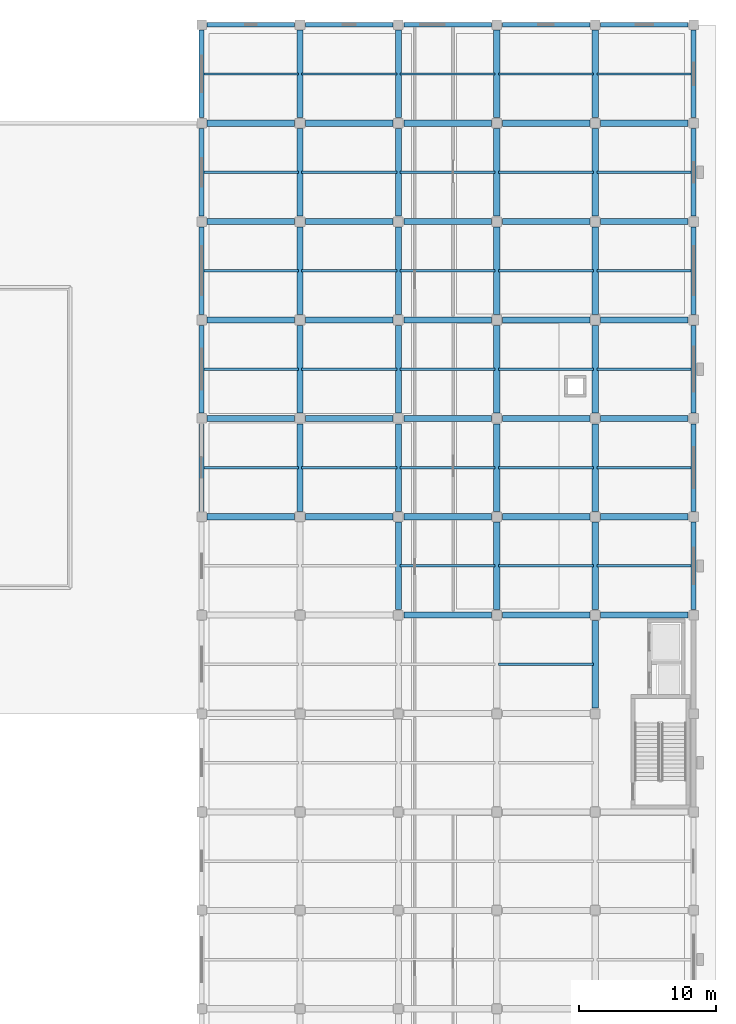
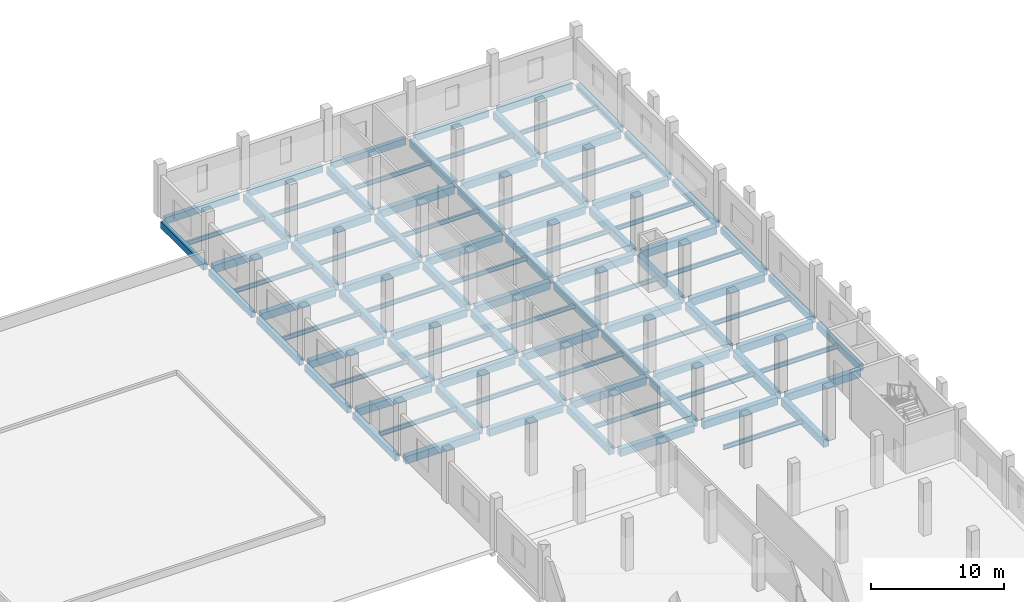
# One storey, part 26 of 59: 97 beams.
"""IFC4 building model written with IfcOpenShell, lengths in metres."""

from ifc_helpers import new_model, si_unit, direction, frame, origin, origin_2d, place, context, subcontext, project, spatial, rectangle, i_section, extrude, material, material_profile, profile_set, type_object, element, save


model = new_model("IFC4")

# Units and contexts
model_context = context("Model", 3, precision=1e-05, world=origin(), true_north=direction((0.0, 1.0)))
body_context = subcontext(model_context, "Body", "Model", "MODEL_VIEW")
ifc_project = project(units=[si_unit("LENGTHUNIT", "METRE"), si_unit("AREAUNIT", "SQUARE_METRE"), si_unit("VOLUMEUNIT", "CUBIC_METRE"), si_unit("PLANEANGLEUNIT", "RADIAN"), si_unit("MASSUNIT", "GRAM", prefix="KILO")], contexts=[model_context])

# Site, building, storey
site_placement = place(None, origin())
site = spatial("IfcSite", under=ifc_project, at=site_placement, CompositionType="ELEMENT")
building_placement = place(site_placement, origin())
building = spatial("IfcBuilding", under=site, at=building_placement, Name="Valkovuoma Quantum and Materials Research Institute", CompositionType="ELEMENT")
storey_placement = place(building_placement, origin())
storey = spatial("IfcBuildingStorey", under=building, at=storey_placement, Name="L00", CompositionType="ELEMENT", Elevation=0.0)

# Beams
ifc_material_1 = material(Name="Steel S355J2", Category="steel")
ifc_material_profile_1 = material_profile(ifc_material_1, i_section(OverallWidth=0.179931640625, OverallDepth=0.39990234375, WebThickness=0.008544921875, FlangeThickness=0.013427734375, FilletRadius=0.02099609375, at=origin_2d()), Name="Steel S355J2")
ifc_profile_set_1 = profile_set([ifc_material_profile_1], Name="Steel S355J2")
beam_type_1 = type_object("IfcBeamType", Name="Beam-B-JST400", PredefinedType="JOIST", material=ifc_profile_set_1)
for number, where, z_axis, x_axis, name in (
    (1, (151.320068359375, 68.39990234375, -0.60009765625), (1.0, 0.0, 0.0), (0.0, 1.0, 0.0), "L00 floor joist 0495"),
    (2, (144.1201171875, 75.60009765625, -0.60009765625), (1.0, 0.0, 0.0), (0.0, 1.0, 0.0), "L00 floor joist 0501"),
    (3, (151.320068359375, 75.60009765625, -0.60009765625), (1.0, 0.0, 0.0), (0.0, 1.0, 0.0), "L00 floor joist 0502"),
    (4, (158.52001953125, 75.60009765625, -0.60009765625), (1.0, 0.0, 0.0), (0.0, 1.0, 0.0), "L00 floor joist 0503"),
    (5, (129.719970703125, 82.800048828125, -0.60009765625), (1.0, 0.0, 0.0), (0.0, 1.0, 0.0), "L00 floor joist 0509"),
    (6, (136.919921875, 82.800048828125, -0.60009765625), (1.0, 0.0, 0.0), (0.0, 1.0, 0.0), "L00 floor joist 0510"),
    (7, (144.1201171875, 82.800048828125, -0.60009765625), (1.0, 0.0, 0.0), (0.0, 1.0, 0.0), "L00 floor joist 0511"),
    (8, (151.320068359375, 82.800048828125, -0.60009765625), (1.0, 0.0, 0.0), (0.0, 1.0, 0.0), "L00 floor joist 0512"),
    (9, (158.52001953125, 82.800048828125, -0.60009765625), (1.0, 0.0, 0.0), (0.0, 1.0, 0.0), "L00 floor joist 0513"),
    (10, (129.719970703125, 90.0, -0.60009765625), (1.0, 0.0, 0.0), (0.0, 1.0, 0.0), "L00 floor joist 0520"),
    (11, (136.919921875, 90.0, -0.60009765625), (1.0, 0.0, 0.0), (0.0, 1.0, 0.0), "L00 floor joist 0521"),
    (12, (144.1201171875, 90.0, -0.60009765625), (1.0, 0.0, 0.0), (0.0, 1.0, 0.0), "L00 floor joist 0522"),
    (13, (151.320068359375, 90.0, -0.60009765625), (1.0, 0.0, 0.0), (0.0, 1.0, 0.0), "L00 floor joist 0523"),
    (14, (158.52001953125, 90.0, -0.60009765625), (1.0, 0.0, 0.0), (0.0, 1.0, 0.0), "L00 floor joist 0524"),
    (15, (129.719970703125, 97.199951171875, -0.60009765625), (1.0, 0.0, 0.0), (0.0, 1.0, 0.0), "L00 floor joist 0530"),
    (16, (136.919921875, 97.199951171875, -0.60009765625), (1.0, 0.0, 0.0), (0.0, 1.0, 0.0), "L00 floor joist 0531"),
    (17, (144.1201171875, 97.199951171875, -0.60009765625), (1.0, 0.0, 0.0), (0.0, 1.0, 0.0), "L00 floor joist 0532"),
    (18, (151.320068359375, 97.199951171875, -0.60009765625), (1.0, 0.0, 0.0), (0.0, 1.0, 0.0), "L00 floor joist 0533"),
    (19, (158.52001953125, 97.199951171875, -0.60009765625), (1.0, 0.0, 0.0), (0.0, 1.0, 0.0), "L00 floor joist 0534"),
    (20, (129.719970703125, 104.39990234375, -0.60009765625), (1.0, 0.0, 0.0), (0.0, 1.0, 0.0), "L00 floor joist 0540"),
    (21, (136.919921875, 104.39990234375, -0.60009765625), (1.0, 0.0, 0.0), (0.0, 1.0, 0.0), "L00 floor joist 0541"),
    (22, (144.1201171875, 104.39990234375, -0.60009765625), (1.0, 0.0, 0.0), (0.0, 1.0, 0.0), "L00 floor joist 0542"),
    (23, (151.320068359375, 104.39990234375, -0.60009765625), (1.0, 0.0, 0.0), (0.0, 1.0, 0.0), "L00 floor joist 0543"),
    (24, (158.52001953125, 104.39990234375, -0.60009765625), (1.0, 0.0, 0.0), (0.0, 1.0, 0.0), "L00 floor joist 0544"),
    (25, (129.719970703125, 111.60009765625, -0.60009765625), (1.0, 0.0, 0.0), (0.0, 1.0, 0.0), "L00 floor joist 0545"),
    (26, (136.919921875, 111.60009765625, -0.60009765625), (1.0, 0.0, 0.0), (0.0, 1.0, 0.0), "L00 floor joist 0546"),
    (27, (144.1201171875, 111.60009765625, -0.60009765625), (1.0, 0.0, 0.0), (0.0, 1.0, 0.0), "L00 floor joist 0547"),
    (28, (151.320068359375, 111.60009765625, -0.60009765625), (1.0, 0.0, 0.0), (0.0, 1.0, 0.0), "L00 floor joist 0548"),
    (29, (158.52001953125, 111.60009765625, -0.60009765625), (1.0, 0.0, 0.0), (0.0, 1.0, 0.0), "L00 floor joist 0549"),
):
    element("IfcBeam", number, at=place(storey_placement, frame(where, z_axis=z_axis, x_axis=x_axis)), inside=storey, type_object=beam_type_1, Name=name, PredefinedType="JOIST", context=body_context, shape_type="SweptSolid", body=[
        extrude(i_section(OverallWidth=0.179931640625, OverallDepth=0.39990234375, WebThickness=0.008544921875, FlangeThickness=0.013427734375, FilletRadius=0.02099609375, at=origin_2d()), origin(), (0.0, 0.0, 1.0), 6.9599609375),
    ])
ifc_material_2 = material(Name="Concrete C40/50", Category="concrete")
ifc_material_profile_2 = material_profile(ifc_material_2, rectangle(XDim=0.449951171875, YDim=0.699951171875, at=origin_2d()), Name="Concrete C40/50")
ifc_profile_set_2 = profile_set([ifc_material_profile_2], Name="Concrete C40/50")
beam_type_2 = type_object("IfcBeamType", Name="Beam-B-RC700", PredefinedType="BEAM", material=ifc_profile_set_2)
beam_1_placement = place(storey_placement, frame((144.39990234375, 72.0, -0.75), z_axis=(1.0, 0.0, 0.0), x_axis=(0.0, 1.0, 0.0)))
element("IfcBeam", 30, at=beam_1_placement, inside=storey, type_object=beam_type_2, Name="L00 beam X-0138", PredefinedType="BEAM", context=body_context, shape_type="SweptSolid", body=[
    extrude(rectangle(XDim=0.449951171875, YDim=0.699951171875, at=origin_2d()), origin(), (0.0, 0.0, 1.0), 6.400146484375),
])
for number, where, z_axis, x_axis, name in (
    (31, (151.60009765625, 72.0, -0.75), (1.0, 0.0, 0.0), (0.0, 1.0, 0.0), "L00 beam X-0139"),
    (32, (158.800048828125, 72.0, -0.75), (1.0, 0.0, 0.0), (0.0, 1.0, 0.0), "L00 beam X-0140"),
    (33, (130.0, 79.199951171875, -0.75), (1.0, 0.0, 0.0), (0.0, 1.0, 0.0), "L00 beam X-0146"),
):
    element("IfcBeam", number, at=place(storey_placement, frame(where, z_axis=z_axis, x_axis=x_axis)), inside=storey, type_object=beam_type_2, Name=name, PredefinedType="BEAM", context=body_context, shape_type="SweptSolid", body=[
        extrude(rectangle(XDim=0.449951171875, YDim=0.699951171875, at=origin_2d()), origin(), (0.0, 0.0, 1.0), 6.39990234375),
    ])
for number, where, z_axis, x_axis, name in (
    (34, (137.199951171875, 79.199951171875, -0.75), (1.0, 0.0, 0.0), (0.0, 1.0, 0.0), "L00 beam X-0147"),
    (35, (144.39990234375, 79.199951171875, -0.75), (1.0, 0.0, 0.0), (0.0, 1.0, 0.0), "L00 beam X-0148"),
):
    element("IfcBeam", number, at=place(storey_placement, frame(where, z_axis=z_axis, x_axis=x_axis)), inside=storey, type_object=beam_type_2, Name=name, PredefinedType="BEAM", context=body_context, shape_type="SweptSolid", body=[
        extrude(rectangle(XDim=0.449951171875, YDim=0.699951171875, at=origin_2d()), origin(), (0.0, 0.0, 1.0), 6.400146484375),
    ])
for number, where, z_axis, x_axis, name in (
    (36, (151.60009765625, 79.199951171875, -0.75), (1.0, 0.0, 0.0), (0.0, 1.0, 0.0), "L00 beam X-0149"),
    (37, (158.800048828125, 79.199951171875, -0.75), (1.0, 0.0, 0.0), (0.0, 1.0, 0.0), "L00 beam X-0150"),
    (38, (130.0, 86.39990234375, -0.75), (1.0, 0.0, 0.0), (0.0, 1.0, 0.0), "L00 beam X-0158"),
):
    element("IfcBeam", number, at=place(storey_placement, frame(where, z_axis=z_axis, x_axis=x_axis)), inside=storey, type_object=beam_type_2, Name=name, PredefinedType="BEAM", context=body_context, shape_type="SweptSolid", body=[
        extrude(rectangle(XDim=0.449951171875, YDim=0.699951171875, at=origin_2d()), origin(), (0.0, 0.0, 1.0), 6.39990234375),
    ])
for number, where, z_axis, x_axis, name in (
    (39, (137.199951171875, 86.39990234375, -0.75), (1.0, 0.0, 0.0), (0.0, 1.0, 0.0), "L00 beam X-0159"),
    (40, (144.39990234375, 86.39990234375, -0.75), (1.0, 0.0, 0.0), (0.0, 1.0, 0.0), "L00 beam X-0160"),
):
    element("IfcBeam", number, at=place(storey_placement, frame(where, z_axis=z_axis, x_axis=x_axis)), inside=storey, type_object=beam_type_2, Name=name, PredefinedType="BEAM", context=body_context, shape_type="SweptSolid", body=[
        extrude(rectangle(XDim=0.449951171875, YDim=0.699951171875, at=origin_2d()), origin(), (0.0, 0.0, 1.0), 6.400146484375),
    ])
for number, where, z_axis, x_axis, name in (
    (41, (151.60009765625, 86.39990234375, -0.75), (1.0, 0.0, 0.0), (0.0, 1.0, 0.0), "L00 beam X-0161"),
    (42, (158.800048828125, 86.39990234375, -0.75), (1.0, 0.0, 0.0), (0.0, 1.0, 0.0), "L00 beam X-0162"),
    (43, (130.0, 93.60009765625, -0.75), (1.0, 0.0, 0.0), (0.0, 1.0, 0.0), "L00 beam X-0170"),
):
    element("IfcBeam", number, at=place(storey_placement, frame(where, z_axis=z_axis, x_axis=x_axis)), inside=storey, type_object=beam_type_2, Name=name, PredefinedType="BEAM", context=body_context, shape_type="SweptSolid", body=[
        extrude(rectangle(XDim=0.449951171875, YDim=0.699951171875, at=origin_2d()), origin(), (0.0, 0.0, 1.0), 6.39990234375),
    ])
for number, where, z_axis, x_axis, name in (
    (44, (137.199951171875, 93.60009765625, -0.75), (1.0, 0.0, 0.0), (0.0, 1.0, 0.0), "L00 beam X-0171"),
    (45, (144.39990234375, 93.60009765625, -0.75), (1.0, 0.0, 0.0), (0.0, 1.0, 0.0), "L00 beam X-0172"),
):
    element("IfcBeam", number, at=place(storey_placement, frame(where, z_axis=z_axis, x_axis=x_axis)), inside=storey, type_object=beam_type_2, Name=name, PredefinedType="BEAM", context=body_context, shape_type="SweptSolid", body=[
        extrude(rectangle(XDim=0.449951171875, YDim=0.699951171875, at=origin_2d()), origin(), (0.0, 0.0, 1.0), 6.400146484375),
    ])
for number, where, z_axis, x_axis, name in (
    (46, (151.60009765625, 93.60009765625, -0.75), (1.0, 0.0, 0.0), (0.0, 1.0, 0.0), "L00 beam X-0173"),
    (47, (158.800048828125, 93.60009765625, -0.75), (1.0, 0.0, 0.0), (0.0, 1.0, 0.0), "L00 beam X-0174"),
    (48, (130.0, 100.800048828125, -0.75), (1.0, 0.0, 0.0), (0.0, 1.0, 0.0), "L00 beam X-0180"),
):
    element("IfcBeam", number, at=place(storey_placement, frame(where, z_axis=z_axis, x_axis=x_axis)), inside=storey, type_object=beam_type_2, Name=name, PredefinedType="BEAM", context=body_context, shape_type="SweptSolid", body=[
        extrude(rectangle(XDim=0.449951171875, YDim=0.699951171875, at=origin_2d()), origin(), (0.0, 0.0, 1.0), 6.39990234375),
    ])
for number, where, z_axis, x_axis, name in (
    (49, (137.199951171875, 100.800048828125, -0.75), (1.0, 0.0, 0.0), (0.0, 1.0, 0.0), "L00 beam X-0181"),
    (50, (144.39990234375, 100.800048828125, -0.75), (1.0, 0.0, 0.0), (0.0, 1.0, 0.0), "L00 beam X-0182"),
):
    element("IfcBeam", number, at=place(storey_placement, frame(where, z_axis=z_axis, x_axis=x_axis)), inside=storey, type_object=beam_type_2, Name=name, PredefinedType="BEAM", context=body_context, shape_type="SweptSolid", body=[
        extrude(rectangle(XDim=0.449951171875, YDim=0.699951171875, at=origin_2d()), origin(), (0.0, 0.0, 1.0), 6.400146484375),
    ])
for number, where, z_axis, x_axis, name in (
    (51, (151.60009765625, 100.800048828125, -0.75), (1.0, 0.0, 0.0), (0.0, 1.0, 0.0), "L00 beam X-0183"),
    (52, (158.800048828125, 100.800048828125, -0.75), (1.0, 0.0, 0.0), (0.0, 1.0, 0.0), "L00 beam X-0184"),
    (53, (130.0, 108.0, -0.75), (1.0, 0.0, 0.0), (0.0, 1.0, 0.0), "L00 beam X-0190"),
):
    element("IfcBeam", number, at=place(storey_placement, frame(where, z_axis=z_axis, x_axis=x_axis)), inside=storey, type_object=beam_type_2, Name=name, PredefinedType="BEAM", context=body_context, shape_type="SweptSolid", body=[
        extrude(rectangle(XDim=0.449951171875, YDim=0.699951171875, at=origin_2d()), origin(), (0.0, 0.0, 1.0), 6.39990234375),
    ])
for number, where, z_axis, x_axis, name in (
    (54, (137.199951171875, 108.0, -0.75), (1.0, 0.0, 0.0), (0.0, 1.0, 0.0), "L00 beam X-0191"),
    (55, (144.39990234375, 108.0, -0.75), (1.0, 0.0, 0.0), (0.0, 1.0, 0.0), "L00 beam X-0192"),
):
    element("IfcBeam", number, at=place(storey_placement, frame(where, z_axis=z_axis, x_axis=x_axis)), inside=storey, type_object=beam_type_2, Name=name, PredefinedType="BEAM", context=body_context, shape_type="SweptSolid", body=[
        extrude(rectangle(XDim=0.449951171875, YDim=0.699951171875, at=origin_2d()), origin(), (0.0, 0.0, 1.0), 6.400146484375),
    ])
for number, where, z_axis, x_axis, name in (
    (56, (151.60009765625, 108.0, -0.75), (1.0, 0.0, 0.0), (0.0, 1.0, 0.0), "L00 beam X-0193"),
    (57, (158.800048828125, 108.0, -0.75), (1.0, 0.0, 0.0), (0.0, 1.0, 0.0), "L00 beam X-0194"),
    (58, (136.800048828125, 79.60009765625, -0.75), (0.0, 1.0, 0.0), (-1.0, 0.0, 0.0), "L00 beam Y-0328"),
    (59, (136.800048828125, 86.800048828125, -0.75), (0.0, 1.0, 0.0), (-1.0, 0.0, 0.0), "L00 beam Y-0329"),
    (60, (136.800048828125, 94.0, -0.75), (0.0, 1.0, 0.0), (-1.0, 0.0, 0.0), "L00 beam Y-0330"),
):
    element("IfcBeam", number, at=place(storey_placement, frame(where, z_axis=z_axis, x_axis=x_axis)), inside=storey, type_object=beam_type_2, Name=name, PredefinedType="BEAM", context=body_context, shape_type="SweptSolid", body=[
        extrude(rectangle(XDim=0.449951171875, YDim=0.699951171875, at=origin_2d()), origin(), (0.0, 0.0, 1.0), 6.39990234375),
    ])
for number, where, z_axis, x_axis, name in (
    (61, (136.800048828125, 101.199951171875, -0.75), (0.0, 1.0, 0.0), (-1.0, 0.0, 0.0), "L00 beam Y-0331"),
    (62, (136.800048828125, 108.39990234375, -0.75), (0.0, 1.0, 0.0), (-1.0, 0.0, 0.0), "L00 beam Y-0332"),
    (63, (144.0, 72.39990234375, -0.75), (0.0, 1.0, 0.0), (-1.0, 0.0, 0.0), "L00 beam Y-0343"),
):
    element("IfcBeam", number, at=place(storey_placement, frame(where, z_axis=z_axis, x_axis=x_axis)), inside=storey, type_object=beam_type_2, Name=name, PredefinedType="BEAM", context=body_context, shape_type="SweptSolid", body=[
        extrude(rectangle(XDim=0.449951171875, YDim=0.699951171875, at=origin_2d()), origin(), (0.0, 0.0, 1.0), 6.400146484375),
    ])
for number, where, z_axis, x_axis, name in (
    (64, (144.0, 79.60009765625, -0.75), (0.0, 1.0, 0.0), (-1.0, 0.0, 0.0), "L00 beam Y-0344"),
    (65, (144.0, 86.800048828125, -0.75), (0.0, 1.0, 0.0), (-1.0, 0.0, 0.0), "L00 beam Y-0345"),
    (66, (144.0, 94.0, -0.75), (0.0, 1.0, 0.0), (-1.0, 0.0, 0.0), "L00 beam Y-0346"),
):
    element("IfcBeam", number, at=place(storey_placement, frame(where, z_axis=z_axis, x_axis=x_axis)), inside=storey, type_object=beam_type_2, Name=name, PredefinedType="BEAM", context=body_context, shape_type="SweptSolid", body=[
        extrude(rectangle(XDim=0.449951171875, YDim=0.699951171875, at=origin_2d()), origin(), (0.0, 0.0, 1.0), 6.39990234375),
    ])
for number, where, z_axis, x_axis, name in (
    (67, (144.0, 101.199951171875, -0.75), (0.0, 1.0, 0.0), (-1.0, 0.0, 0.0), "L00 beam Y-0347"),
    (68, (144.0, 108.39990234375, -0.75), (0.0, 1.0, 0.0), (-1.0, 0.0, 0.0), "L00 beam Y-0348"),
    (69, (151.199951171875, 72.39990234375, -0.75), (0.0, 1.0, 0.0), (-1.0, 0.0, 0.0), "L00 beam Y-0359"),
):
    element("IfcBeam", number, at=place(storey_placement, frame(where, z_axis=z_axis, x_axis=x_axis)), inside=storey, type_object=beam_type_2, Name=name, PredefinedType="BEAM", context=body_context, shape_type="SweptSolid", body=[
        extrude(rectangle(XDim=0.449951171875, YDim=0.699951171875, at=origin_2d()), origin(), (0.0, 0.0, 1.0), 6.400146484375),
    ])
for number, where, z_axis, x_axis, name in (
    (70, (151.199951171875, 79.60009765625, -0.75), (0.0, 1.0, 0.0), (-1.0, 0.0, 0.0), "L00 beam Y-0360"),
    (71, (151.199951171875, 86.800048828125, -0.75), (0.0, 1.0, 0.0), (-1.0, 0.0, 0.0), "L00 beam Y-0361"),
    (72, (151.199951171875, 94.0, -0.75), (0.0, 1.0, 0.0), (-1.0, 0.0, 0.0), "L00 beam Y-0362"),
):
    element("IfcBeam", number, at=place(storey_placement, frame(where, z_axis=z_axis, x_axis=x_axis)), inside=storey, type_object=beam_type_2, Name=name, PredefinedType="BEAM", context=body_context, shape_type="SweptSolid", body=[
        extrude(rectangle(XDim=0.449951171875, YDim=0.699951171875, at=origin_2d()), origin(), (0.0, 0.0, 1.0), 6.39990234375),
    ])
for number, where, z_axis, x_axis, name in (
    (73, (151.199951171875, 101.199951171875, -0.75), (0.0, 1.0, 0.0), (-1.0, 0.0, 0.0), "L00 beam Y-0363"),
    (74, (151.199951171875, 108.39990234375, -0.75), (0.0, 1.0, 0.0), (-1.0, 0.0, 0.0), "L00 beam Y-0364"),
    (75, (158.39990234375, 65.199951171875, -0.75), (0.0, 1.0, 0.0), (-1.0, 0.0, 0.0), "L00 beam Y-0374"),
    (76, (158.39990234375, 72.39990234375, -0.75), (0.0, 1.0, 0.0), (-1.0, 0.0, 0.0), "L00 beam Y-0375"),
):
    element("IfcBeam", number, at=place(storey_placement, frame(where, z_axis=z_axis, x_axis=x_axis)), inside=storey, type_object=beam_type_2, Name=name, PredefinedType="BEAM", context=body_context, shape_type="SweptSolid", body=[
        extrude(rectangle(XDim=0.449951171875, YDim=0.699951171875, at=origin_2d()), origin(), (0.0, 0.0, 1.0), 6.400146484375),
    ])
for number, where, z_axis, x_axis, name in (
    (77, (158.39990234375, 79.60009765625, -0.75), (0.0, 1.0, 0.0), (-1.0, 0.0, 0.0), "L00 beam Y-0376"),
    (78, (158.39990234375, 86.800048828125, -0.75), (0.0, 1.0, 0.0), (-1.0, 0.0, 0.0), "L00 beam Y-0377"),
    (79, (158.39990234375, 94.0, -0.75), (0.0, 1.0, 0.0), (-1.0, 0.0, 0.0), "L00 beam Y-0378"),
):
    element("IfcBeam", number, at=place(storey_placement, frame(where, z_axis=z_axis, x_axis=x_axis)), inside=storey, type_object=beam_type_2, Name=name, PredefinedType="BEAM", context=body_context, shape_type="SweptSolid", body=[
        extrude(rectangle(XDim=0.449951171875, YDim=0.699951171875, at=origin_2d()), origin(), (0.0, 0.0, 1.0), 6.39990234375),
    ])
for number, where, z_axis, x_axis, name in (
    (80, (158.39990234375, 101.199951171875, -0.75), (0.0, 1.0, 0.0), (-1.0, 0.0, 0.0), "L00 beam Y-0379"),
    (81, (158.39990234375, 108.39990234375, -0.75), (0.0, 1.0, 0.0), (-1.0, 0.0, 0.0), "L00 beam Y-0380"),
):
    element("IfcBeam", number, at=place(storey_placement, frame(where, z_axis=z_axis, x_axis=x_axis)), inside=storey, type_object=beam_type_2, Name=name, PredefinedType="BEAM", context=body_context, shape_type="SweptSolid", body=[
        extrude(rectangle(XDim=0.449951171875, YDim=0.699951171875, at=origin_2d()), origin(), (0.0, 0.0, 1.0), 6.400146484375),
    ])
ifc_material_3 = material(Name="Concrete C40/50", Category="concrete")
ifc_material_profile_3 = material_profile(ifc_material_3, rectangle(XDim=0.35009765625, YDim=0.60009765625, at=origin_2d()), Name="Concrete C40/50")
ifc_profile_set_3 = profile_set([ifc_material_profile_3], Name="Concrete C40/50")
beam_type_3 = type_object("IfcBeamType", Name="Beam-B-SPN600", PredefinedType="SPANDREL", material=ifc_profile_set_3)
beam_2_placement = place(storey_placement, frame((130.0, 115.199951171875, -0.699951171875), z_axis=(1.0, 0.0, 0.0), x_axis=(0.0, 1.0, 0.0)))
element("IfcBeam", 82, at=beam_2_placement, inside=storey, type_object=beam_type_3, Name="L00 beam X-0195", PredefinedType="SPANDREL", context=body_context, shape_type="SweptSolid", body=[
    extrude(rectangle(XDim=0.35009765625, YDim=0.60009765625, at=origin_2d()), origin(), (0.0, 0.0, 1.0), 6.39990234375),
])
for number, where, z_axis, x_axis, name in (
    (83, (137.199951171875, 115.199951171875, -0.699951171875), (1.0, 0.0, 0.0), (0.0, 1.0, 0.0), "L00 beam X-0196"),
    (84, (144.39990234375, 115.199951171875, -0.699951171875), (1.0, 0.0, 0.0), (0.0, 1.0, 0.0), "L00 beam X-0197"),
):
    element("IfcBeam", number, at=place(storey_placement, frame(where, z_axis=z_axis, x_axis=x_axis)), inside=storey, type_object=beam_type_3, Name=name, PredefinedType="SPANDREL", context=body_context, shape_type="SweptSolid", body=[
        extrude(rectangle(XDim=0.35009765625, YDim=0.60009765625, at=origin_2d()), origin(), (0.0, 0.0, 1.0), 6.400146484375),
    ])
for number, where, z_axis, x_axis, name in (
    (85, (151.60009765625, 115.199951171875, -0.699951171875), (1.0, 0.0, 0.0), (0.0, 1.0, 0.0), "L00 beam X-0198"),
    (86, (158.800048828125, 115.199951171875, -0.699951171875), (1.0, 0.0, 0.0), (0.0, 1.0, 0.0), "L00 beam X-0199"),
    (87, (129.60009765625, 79.60009765625, -0.699951171875), (0.0, 1.0, 0.0), (-1.0, 0.0, 0.0), "L00 beam Y-0316"),
    (88, (129.60009765625, 86.800048828125, -0.699951171875), (0.0, 1.0, 0.0), (-1.0, 0.0, 0.0), "L00 beam Y-0317"),
    (89, (129.60009765625, 94.0, -0.699951171875), (0.0, 1.0, 0.0), (-1.0, 0.0, 0.0), "L00 beam Y-0318"),
):
    element("IfcBeam", number, at=place(storey_placement, frame(where, z_axis=z_axis, x_axis=x_axis)), inside=storey, type_object=beam_type_3, Name=name, PredefinedType="SPANDREL", context=body_context, shape_type="SweptSolid", body=[
        extrude(rectangle(XDim=0.35009765625, YDim=0.60009765625, at=origin_2d()), origin(), (0.0, 0.0, 1.0), 6.39990234375),
    ])
for number, where, z_axis, x_axis, name in (
    (90, (129.60009765625, 101.199951171875, -0.699951171875), (0.0, 1.0, 0.0), (-1.0, 0.0, 0.0), "L00 beam Y-0319"),
    (91, (129.60009765625, 108.39990234375, -0.699951171875), (0.0, 1.0, 0.0), (-1.0, 0.0, 0.0), "L00 beam Y-0320"),
    (92, (165.60009765625, 72.39990234375, -0.699951171875), (0.0, 1.0, 0.0), (-1.0, 0.0, 0.0), "L00 beam Y-0389"),
):
    element("IfcBeam", number, at=place(storey_placement, frame(where, z_axis=z_axis, x_axis=x_axis)), inside=storey, type_object=beam_type_3, Name=name, PredefinedType="SPANDREL", context=body_context, shape_type="SweptSolid", body=[
        extrude(rectangle(XDim=0.35009765625, YDim=0.60009765625, at=origin_2d()), origin(), (0.0, 0.0, 1.0), 6.400146484375),
    ])
for number, where, z_axis, x_axis, name in (
    (93, (165.60009765625, 79.60009765625, -0.699951171875), (0.0, 1.0, 0.0), (-1.0, 0.0, 0.0), "L00 beam Y-0390"),
    (94, (165.60009765625, 86.800048828125, -0.699951171875), (0.0, 1.0, 0.0), (-1.0, 0.0, 0.0), "L00 beam Y-0391"),
    (95, (165.60009765625, 94.0, -0.699951171875), (0.0, 1.0, 0.0), (-1.0, 0.0, 0.0), "L00 beam Y-0392"),
):
    element("IfcBeam", number, at=place(storey_placement, frame(where, z_axis=z_axis, x_axis=x_axis)), inside=storey, type_object=beam_type_3, Name=name, PredefinedType="SPANDREL", context=body_context, shape_type="SweptSolid", body=[
        extrude(rectangle(XDim=0.35009765625, YDim=0.60009765625, at=origin_2d()), origin(), (0.0, 0.0, 1.0), 6.39990234375),
    ])
for number, where, z_axis, x_axis, name in (
    (96, (165.60009765625, 101.199951171875, -0.699951171875), (0.0, 1.0, 0.0), (-1.0, 0.0, 0.0), "L00 beam Y-0393"),
    (97, (165.60009765625, 108.39990234375, -0.699951171875), (0.0, 1.0, 0.0), (-1.0, 0.0, 0.0), "L00 beam Y-0394"),
):
    element("IfcBeam", number, at=place(storey_placement, frame(where, z_axis=z_axis, x_axis=x_axis)), inside=storey, type_object=beam_type_3, Name=name, PredefinedType="SPANDREL", context=body_context, shape_type="SweptSolid", body=[
        extrude(rectangle(XDim=0.35009765625, YDim=0.60009765625, at=origin_2d()), origin(), (0.0, 0.0, 1.0), 6.400146484375),
    ])

save(model, "model.ifc")
